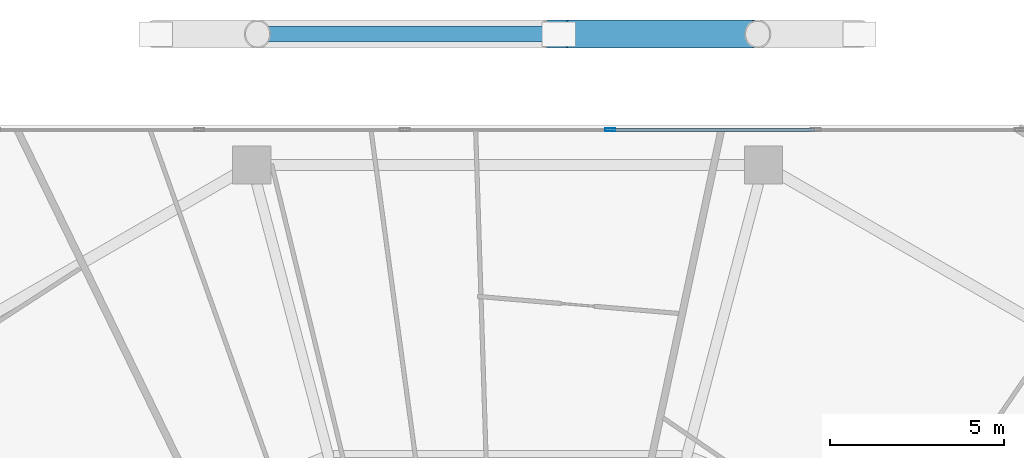
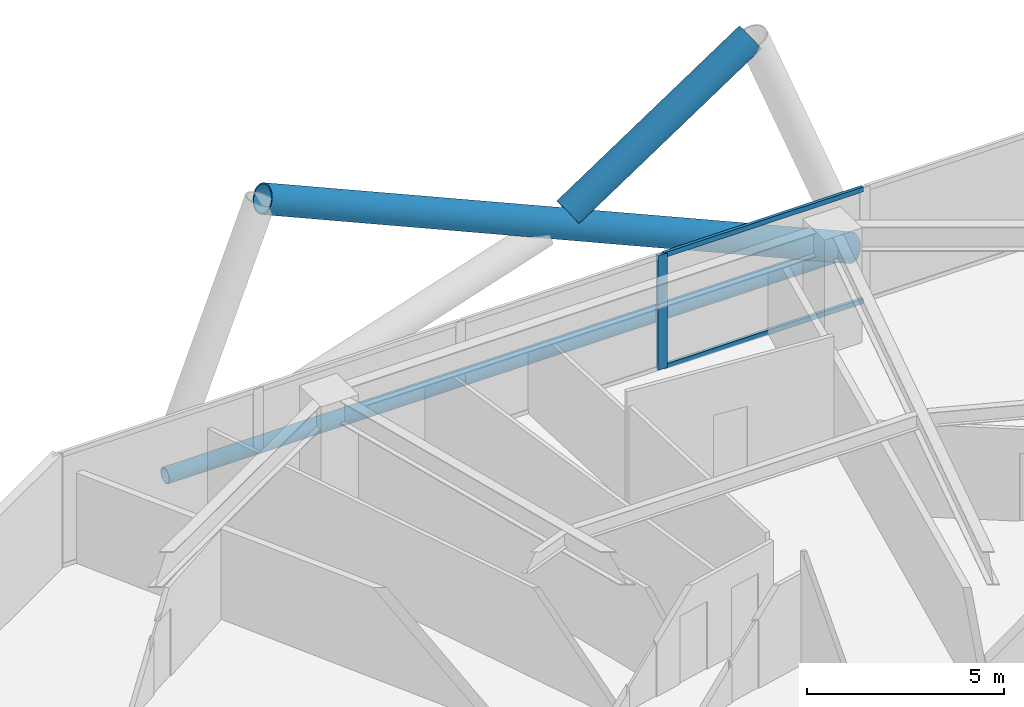
# One storey, part 22 of 35: 6 members, 1 element without a shape of its own.
"""IFC4 building model written with IfcOpenShell, lengths in metres."""

from ifc_helpers import new_model, si_unit, direction, frame, origin, origin_2d, place, context, subcontext, project, spatial, hollow_rectangle, hollow_circle, extrude, material, material_profile, profile_set, type_object, element, aggregate, save


model = new_model("IFC4")

# Units and contexts
model_context = context("Model", 3, precision=1e-05, world=origin(), true_north=direction((0.0, 1.0)))
body_context = subcontext(model_context, "Body", "Model", "MODEL_VIEW")
ifc_project = project(units=[si_unit("LENGTHUNIT", "METRE"), si_unit("AREAUNIT", "SQUARE_METRE"), si_unit("VOLUMEUNIT", "CUBIC_METRE"), si_unit("PLANEANGLEUNIT", "RADIAN"), si_unit("MASSUNIT", "GRAM", prefix="KILO")], contexts=[model_context])

# Site, building, storey
site_placement = place(None, origin())
site = spatial("IfcSite", under=ifc_project, at=site_placement, CompositionType="ELEMENT")
building_placement = place(site_placement, origin())
building = spatial("IfcBuilding", under=site, at=building_placement, Name="Zuhravey Tower", CompositionType="ELEMENT")
storey_placement = place(building_placement, frame((0.0, 0.0, 122.800048828125)))
storey = spatial("IfcBuildingStorey", under=building, at=storey_placement, Name="L30", CompositionType="ELEMENT", Elevation=122.800048828125)

# Curtain wall, members
ifc_material_1 = material(Name="Thermally broken anodised aluminium", Category="aluminium")
curtain_wall_type = type_object("IfcCurtainWallType", Name="Zone 1-2 Residential Curtain Wall CW3", PredefinedType="NOTDEFINED", material=ifc_material_1)
curtain_wall_placement = place(storey_placement, origin())
curtain_wall = element("IfcCurtainWall", 1, at=curtain_wall_placement, inside=storey, type_object=curtain_wall_type, Name="L30 CW3 CW-L30-F2-1", PredefinedType="NOTDEFINED")
ifc_material_2 = material(Name="Anodised aluminium", Category="aluminium")
ifc_material_profile_1 = material_profile(ifc_material_2, hollow_rectangle(XDim=0.090087890625, YDim=0.284912109375, WallThickness=0.0048828125, at=origin_2d()), Name="ALU-RHS-90x285x5")
ifc_profile_set_1 = profile_set([ifc_material_profile_1], Name="Anodised aluminium")
member_type_1 = type_object("IfcMemberType", Name="Curtain-Wall Mullion 90x180", PredefinedType="MULLION", material=ifc_profile_set_1)
member_1_placement = place(storey_placement, frame((38.9599609375, 60.95849609375, 0.0), z_axis=(0.0, 0.0, 1.0), x_axis=(0.0, 1.0, 0.0)))
member_1 = element("IfcMember", 2, at=member_1_placement, type_object=member_type_1, Name="CW3 mullion 4", PredefinedType="MULLION", context=body_context, shape_type="SweptSolid", body=[
    extrude(hollow_rectangle(XDim=0.090087890625, YDim=0.284912109375, WallThickness=0.0048828125, at=origin_2d()), origin(), (0.0, 0.0, 1.0), 3.550048828125),
])
ifc_material_profile_2 = material_profile(ifc_material_2, hollow_rectangle(XDim=0.090087890625, YDim=0.14990234375, WallThickness=0.0048828125, at=origin_2d()), Name="ALU-RHS-90x150x5")
ifc_profile_set_2 = profile_set([ifc_material_profile_2], Name="Anodised aluminium")
member_type_2 = type_object("IfcMemberType", Name="Curtain-Wall Transom 90x150", PredefinedType="USERDEFINED", material=ifc_profile_set_2)
member_2_placement = place(storey_placement, frame((39.0048828125, 60.95849609375, 0.044921875), z_axis=(1.0, 0.0, 0.0), x_axis=(0.0, 1.0, 0.0)))
member_2 = element("IfcMember", 3, at=member_2_placement, type_object=member_type_2, Name="CW3 transom 4.1", ObjectType="TRANSOM", PredefinedType="USERDEFINED", context=body_context, shape_type="SweptSolid", body=[
    extrude(hollow_rectangle(XDim=0.090087890625, YDim=0.14990234375, WallThickness=0.0048828125, at=origin_2d()), origin(), (0.0, 0.0, 1.0), 5.829833984375),
])
member_3_placement = place(storey_placement, frame((39.0048828125, 60.95849609375, 3.5048828125), z_axis=(1.0, 0.0, 0.0), x_axis=(0.0, 1.0, 0.0)))
member_3 = element("IfcMember", 4, at=member_3_placement, type_object=member_type_2, Name="CW3 transom 4.2", ObjectType="TRANSOM", PredefinedType="USERDEFINED", context=body_context, shape_type="SweptSolid", body=[
    extrude(hollow_rectangle(XDim=0.090087890625, YDim=0.14990234375, WallThickness=0.0048828125, at=origin_2d()), origin(), (0.0, 0.0, 1.0), 5.829833984375),
])
aggregate(curtain_wall, [member_1, member_2, member_3])

# Members
ifc_material_3 = material(Name="Steel SM355", Category="steel")
ifc_material_profile_3 = material_profile(ifc_material_3, hollow_circle(Radius=0.228515625, WallThickness=0.02197265625, at=origin_2d()), Name="CHS-457.2x22")
ifc_profile_set_3 = profile_set([ifc_material_profile_3], Name="Steel SM355")
member_type_3 = type_object("IfcMemberType", Name="Exoskeleton Ring Tie CHS457x22", PredefinedType="CHORD", material=ifc_profile_set_3)
member_4_placement = place(storey_placement, frame((45.996826171875, 63.718505859375, -0.464111328125), z_axis=(-1.0, 0.0, 0.0), x_axis=(0.0, -1.0, 0.0)))
element("IfcMember", 5, at=member_4_placement, inside=storey, type_object=member_type_3, Name="L30 Exoskeleton Face 2 Tie EXR1", PredefinedType="CHORD", context=body_context, shape_type="SweptSolid", body=[
    extrude(hollow_circle(Radius=0.228515625, WallThickness=0.02197265625, at=origin_2d()), origin(), (0.0, 0.0, 1.0), 19.99365234375),
])
ifc_material_4 = material(Name="Steel SM460", Category="steel")
ifc_material_profile_4 = material_profile(ifc_material_4, hollow_circle(Radius=0.406494140625, WallThickness=0.035888671875, at=origin_2d()), Name="CHS-812.8x36")
ifc_profile_set_4 = profile_set([ifc_material_profile_4], Name="Steel SM460")
member_type_4 = type_object("IfcMemberType", Name="Exoskeleton Zone 1 Diagrid CHS813x36", PredefinedType="BRACE", material=ifc_profile_set_4)
member_5_placement = place(storey_placement, frame((46.086669921875, 63.718505859375, -0.442138671875), z_axis=(-0.915809142327, 0.0, 0.401613763248), x_axis=(0.0, -1.0, 0.0)))
element("IfcMember", 6, at=member_5_placement, inside=storey, type_object=member_type_4, Name="L30 Face 2 Diagrid Brace 2", PredefinedType="BRACE", context=body_context, shape_type="SweptSolid", body=[
    extrude(hollow_circle(Radius=0.406494140625, WallThickness=0.035888671875, at=origin_2d()), origin(), (0.0, 0.0, 1.0), 18.814453125),
])
member_6_placement = place(storey_placement, frame((37.8017578125, 63.718505859375, 3.55517578125), z_axis=(0.833038011792, 0.0, 0.553215754395), x_axis=(0.0, 1.0, 0.0)))
element("IfcMember", 7, at=member_6_placement, inside=storey, type_object=member_type_4, Name="L30 Face 2 Split Diagrid Brace 3B", PredefinedType="BRACE", context=body_context, shape_type="SweptSolid", body=[
    extrude(hollow_circle(Radius=0.406494140625, WallThickness=0.035888671875, at=origin_2d()), origin(), (0.0, 0.0, 1.0), 6.41796875),
])

save(model, "model.ifc")
